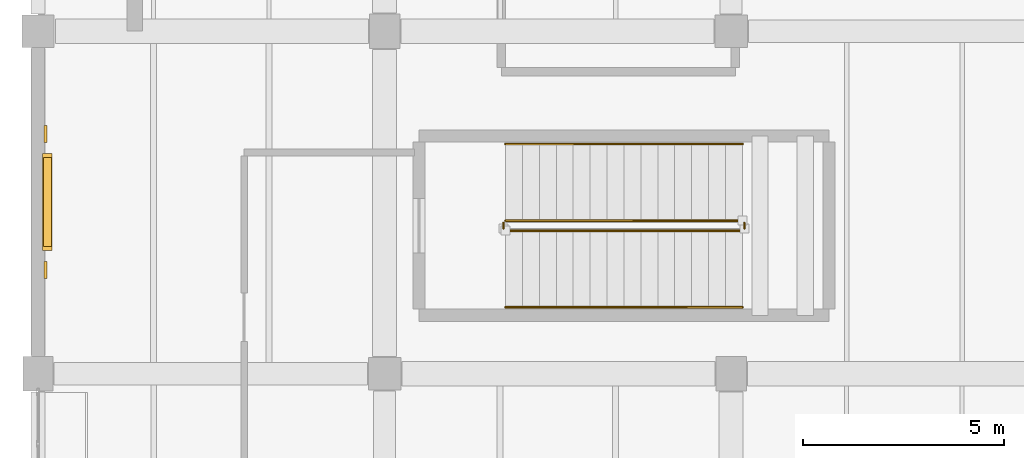
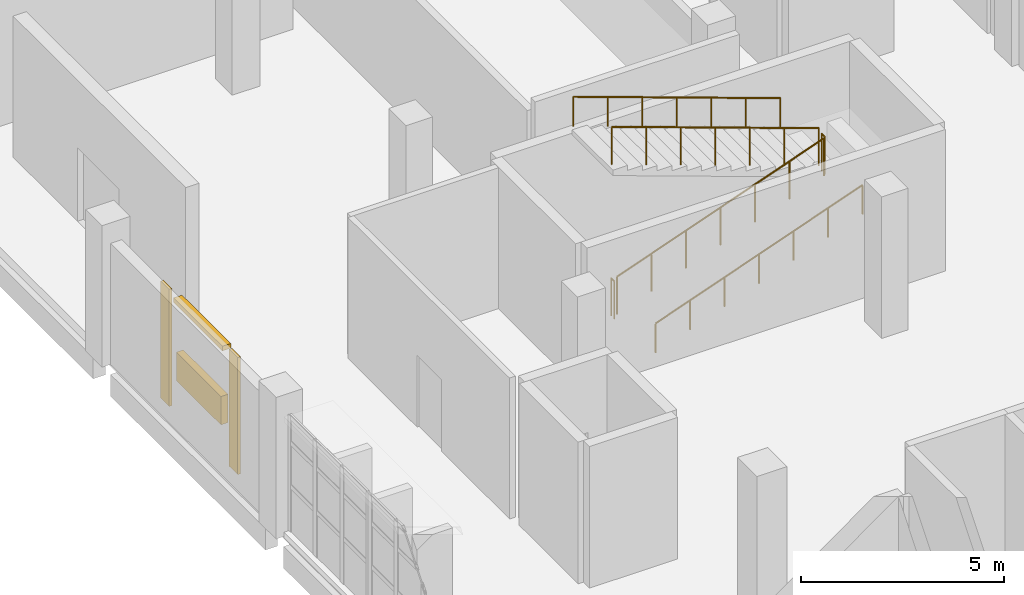
# One storey, part 68 of 76: 6 railings, 2 coverings, 2 shading devices.
"""IFC4 building model written with IfcOpenShell, lengths in metres."""

from ifc_helpers import new_model, si_unit, direction, frame, origin, origin_2d, place, context, subcontext, project, spatial, rectangle, circle, extrude, material, layer, layer_set, type_object, element, save


model = new_model("IFC4")

# Units and contexts
model_context = context("Model", 3, precision=1e-05, world=origin(), true_north=direction((0.0, 1.0)))
body_context = subcontext(model_context, "Body", "Model", "MODEL_VIEW")
ifc_project = project(units=[si_unit("LENGTHUNIT", "METRE"), si_unit("AREAUNIT", "SQUARE_METRE"), si_unit("VOLUMEUNIT", "CUBIC_METRE"), si_unit("PLANEANGLEUNIT", "RADIAN"), si_unit("MASSUNIT", "GRAM", prefix="KILO")], contexts=[model_context])

# Site, building, storey
site_placement = place(None, origin())
site = spatial("IfcSite", under=ifc_project, at=site_placement, CompositionType="ELEMENT")
building_placement = place(site_placement, origin())
building = spatial("IfcBuilding", under=site, at=building_placement, Name="Varnakota Cinema and Media Centre", CompositionType="ELEMENT")
storey_placement = place(building_placement, origin())
storey = spatial("IfcBuildingStorey", under=building, at=storey_placement, Name="L00", CompositionType="ELEMENT", Elevation=0.0)

# Coverings
ifc_material_1 = material(Name="Pale Tandur limestone cladding", Category="masonry")
ifc_layer_1 = layer(ifc_material_1, 0.06005859375)
ifc_layer_set_1 = layer_set([ifc_layer_1], Name="Pale Tandur limestone cladding")
covering_type = type_object("IfcCoveringType", Name="COV-TANDUR-ASHLAR-60", PredefinedType="CLADDING", material=ifc_layer_set_1)
for number, where, z_axis, x_axis, name in (
    (1, (0.18505859375, 49.950927734375, 0.06005859375), (0.0, 0.0, 1.0), (0.0, -1.0, 0.0), "L00 acoustic studio stone relief pilaster V5-W-S-1.1"),
    (2, (0.18505859375, 46.573974609375, 0.06005859375), (0.0, 0.0, 1.0), (0.0, -1.0, 0.0), "L00 acoustic studio stone relief pilaster V5-W-S-1.2"),
):
    element("IfcCovering", number, at=place(storey_placement, frame(where, z_axis=z_axis, x_axis=x_axis)), inside=storey, type_object=covering_type, Name=name, PredefinedType="CLADDING", context=body_context, shape_type="SweptSolid", body=[
        extrude(rectangle(XDim=0.419921875, YDim=0.080078125, at=origin_2d()), origin(), (0.0, 0.0, 1.0), 3.514892578125),
    ])

# Railings
ifc_material_2 = material(Name="Structural steel Grade 350 (E350)", Category="steel")
ifc_layer_2 = layer(ifc_material_2, 0.050048828125)
ifc_layer_set_2 = layer_set([ifc_layer_2], Name="Structural steel Grade 350 (E350)")
railing_type_1 = type_object("IfcRailingType", Name="RAIL-STAIR-GUARD-1150", PredefinedType="GUARDRAIL", material=ifc_layer_set_2)
railing_1_placement = place(storey_placement, frame((11.60009765625, 47.550048828125, 0.14990234375)))
element("IfcRailing", 3, at=railing_1_placement, inside=storey, type_object=railing_type_1, Name="L00 ST-03 stair guard 1", PredefinedType="GUARDRAIL", context=body_context, shape_type="SweptSolid", body=[
    extrude(circle(Radius=0.02392578125, at=origin_2d()), frame((0.0, 0.0, 1.1259765625), z_axis=(0.941734834084, 0.0, 0.33635621337), x_axis=(0.0, 1.0, 0.0)), (0.0, 0.0, 1.0), 6.24365234375),
    extrude(circle(Radius=0.02099609375, at=origin_2d()), origin(), (0.0, 0.0, 1.0), 1.101806640625),
    extrude(circle(Radius=0.02099609375, at=origin_2d()), frame((0.97998046875, 0.0, 0.35009765625)), (0.0, 0.0, 1.0), 1.101806640625),
    extrude(circle(Radius=0.02099609375, at=origin_2d()), frame((1.9599609375, 0.0, 0.699951171875)), (0.0, 0.0, 1.0), 1.101806640625),
    extrude(circle(Radius=0.02099609375, at=origin_2d()), frame((2.93994140625, 0.0, 1.050048828125)), (0.0, 0.0, 1.0), 1.101806640625),
    extrude(circle(Radius=0.02099609375, at=origin_2d()), frame((3.919921875, 0.0, 1.400146484375)), (0.0, 0.0, 1.0), 1.101806640625),
    extrude(circle(Radius=0.02099609375, at=origin_2d()), frame((4.89990234375, 0.0, 1.75)), (0.0, 0.0, 1.0), 1.101806640625),
    extrude(circle(Radius=0.02099609375, at=origin_2d()), frame((5.8798828125, 0.0, 2.10009765625)), (0.0, 0.0, 1.0), 1.101806640625),
])
railing_2_placement = place(storey_placement, frame((17.530029296875, 47.60009765625, 2.25)))
element("IfcRailing", 4, at=railing_2_placement, inside=storey, type_object=railing_type_1, Name="L00 ST-03 stair guard 2", PredefinedType="GUARDRAIL", context=body_context, shape_type="SweptSolid", body=[
    extrude(circle(Radius=0.02392578125, at=origin_2d()), frame((0.0, 0.0, 1.1259765625), z_axis=(0.0, 1.0, 0.0), x_axis=(-1.0, 0.0, 0.0)), (0.0, 0.0, 1.0), 0.14990234375),
    extrude(circle(Radius=0.02099609375, at=origin_2d()), origin(), (0.0, 0.0, 1.0), 1.101806640625),
    extrude(circle(Radius=0.02099609375, at=origin_2d()), frame((0.0, 0.14990234375, 0.0)), (0.0, 0.0, 1.0), 1.101806640625),
])
railing_3_placement = place(storey_placement, frame((17.47998046875, 47.800048828125, 2.39990234375)))
element("IfcRailing", 5, at=railing_3_placement, inside=storey, type_object=railing_type_1, Name="L00 ST-03 stair guard 3", PredefinedType="GUARDRAIL", context=body_context, shape_type="SweptSolid", body=[
    extrude(circle(Radius=0.02392578125, at=origin_2d()), frame((0.0, 0.0, 1.1259765625), z_axis=(-0.941734834084, 0.0, 0.33635621337), x_axis=(0.0, -1.0, 0.0)), (0.0, 0.0, 1.0), 6.24365234375),
    extrude(circle(Radius=0.02099609375, at=origin_2d()), origin(), (0.0, 0.0, 1.0), 1.101806640625),
    extrude(circle(Radius=0.02099609375, at=origin_2d()), frame((-0.97998046875, 0.0, 0.35009765625)), (0.0, 0.0, 1.0), 1.101806640625),
    extrude(circle(Radius=0.02099609375, at=origin_2d()), frame((-1.9599609375, 0.0, 0.699951171875)), (0.0, 0.0, 1.0), 1.101806640625),
    extrude(circle(Radius=0.02099609375, at=origin_2d()), frame((-2.93994140625, 0.0, 1.050048828125)), (0.0, 0.0, 1.0), 1.101806640625),
    extrude(circle(Radius=0.02099609375, at=origin_2d()), frame((-3.919921875, 0.0, 1.400146484375)), (0.0, 0.0, 1.0), 1.101806640625),
    extrude(circle(Radius=0.02099609375, at=origin_2d()), frame((-4.89990234375, 0.0, 1.75)), (0.0, 0.0, 1.0), 1.101806640625),
    extrude(circle(Radius=0.02099609375, at=origin_2d()), frame((-5.8798828125, 0.0, 2.10009765625)), (0.0, 0.0, 1.0), 1.101806640625),
])
railing_4_placement = place(storey_placement, frame((11.550048828125, 47.60009765625, 0.0)))
element("IfcRailing", 6, at=railing_4_placement, inside=storey, type_object=railing_type_1, Name="L00 ST-03 stair guard 4", PredefinedType="GUARDRAIL", context=body_context, shape_type="SweptSolid", body=[
    extrude(circle(Radius=0.02392578125, at=origin_2d()), frame((0.0, 0.0, 1.1259765625), z_axis=(0.0, 1.0, 0.0), x_axis=(-1.0, 0.0, 0.0)), (0.0, 0.0, 1.0), 0.14990234375),
    extrude(circle(Radius=0.02099609375, at=origin_2d()), origin(), (0.0, 0.0, 1.0), 1.101806640625),
    extrude(circle(Radius=0.02099609375, at=origin_2d()), frame((0.0, 0.14990234375, 0.0)), (0.0, 0.0, 1.0), 1.101806640625),
])
ifc_material_3 = material(Name="Structural steel Grade 350 (E350)", Category="steel")
ifc_layer_3 = layer(ifc_material_3, 0.048095703125)
ifc_layer_set_3 = layer_set([ifc_layer_3], Name="Structural steel Grade 350 (E350)")
railing_type_2 = type_object("IfcRailingType", Name="RAIL-STAIR-HAND-900", PredefinedType="HANDRAIL", material=ifc_layer_set_3)
railing_5_placement = place(storey_placement, frame((11.60009765625, 45.64990234375, 0.14990234375)))
element("IfcRailing", 7, at=railing_5_placement, inside=storey, type_object=railing_type_2, Name="L00 ST-03 stair handrail 1", PredefinedType="HANDRAIL", context=body_context, shape_type="SweptSolid", body=[
    extrude(circle(Radius=0.02392578125, at=origin_2d()), frame((0.0, 0.0, 0.8759765625), z_axis=(0.941734834084, 0.0, 0.33635621337), x_axis=(0.0, 1.0, 0.0)), (0.0, 0.0, 1.0), 6.24365234375),
    extrude(circle(Radius=0.02099609375, at=origin_2d()), origin(), (0.0, 0.0, 1.0), 0.851806640625),
    extrude(circle(Radius=0.02099609375, at=origin_2d()), frame((0.97998046875, 0.0, 0.35009765625)), (0.0, 0.0, 1.0), 0.851806640625),
    extrude(circle(Radius=0.02099609375, at=origin_2d()), frame((1.9599609375, 0.0, 0.699951171875)), (0.0, 0.0, 1.0), 0.851806640625),
    extrude(circle(Radius=0.02099609375, at=origin_2d()), frame((2.93994140625, 0.0, 1.050048828125)), (0.0, 0.0, 1.0), 0.851806640625),
    extrude(circle(Radius=0.02099609375, at=origin_2d()), frame((3.919921875, 0.0, 1.400146484375)), (0.0, 0.0, 1.0), 0.851806640625),
    extrude(circle(Radius=0.02099609375, at=origin_2d()), frame((4.89990234375, 0.0, 1.75)), (0.0, 0.0, 1.0), 0.851806640625),
    extrude(circle(Radius=0.02099609375, at=origin_2d()), frame((5.8798828125, 0.0, 2.10009765625)), (0.0, 0.0, 1.0), 0.851806640625),
])
railing_6_placement = place(storey_placement, frame((17.47998046875, 49.699951171875, 2.39990234375)))
element("IfcRailing", 8, at=railing_6_placement, inside=storey, type_object=railing_type_2, Name="L00 ST-03 stair handrail 2", PredefinedType="HANDRAIL", context=body_context, shape_type="SweptSolid", body=[
    extrude(circle(Radius=0.02392578125, at=origin_2d()), frame((0.0, 0.0, 0.8759765625), z_axis=(-0.941734834084, 0.0, 0.33635621337), x_axis=(0.0, -1.0, 0.0)), (0.0, 0.0, 1.0), 6.24365234375),
    extrude(circle(Radius=0.02099609375, at=origin_2d()), origin(), (0.0, 0.0, 1.0), 0.851806640625),
    extrude(circle(Radius=0.02099609375, at=origin_2d()), frame((-0.97998046875, 0.0, 0.35009765625)), (0.0, 0.0, 1.0), 0.851806640625),
    extrude(circle(Radius=0.02099609375, at=origin_2d()), frame((-1.9599609375, 0.0, 0.699951171875)), (0.0, 0.0, 1.0), 0.851806640625),
    extrude(circle(Radius=0.02099609375, at=origin_2d()), frame((-2.93994140625, 0.0, 1.050048828125)), (0.0, 0.0, 1.0), 0.851806640625),
    extrude(circle(Radius=0.02099609375, at=origin_2d()), frame((-3.919921875, 0.0, 1.400146484375)), (0.0, 0.0, 1.0), 0.851806640625),
    extrude(circle(Radius=0.02099609375, at=origin_2d()), frame((-4.89990234375, 0.0, 1.75)), (0.0, 0.0, 1.0), 0.851806640625),
    extrude(circle(Radius=0.02099609375, at=origin_2d()), frame((-5.8798828125, 0.0, 2.10009765625)), (0.0, 0.0, 1.0), 0.851806640625),
])

# Shading devices
ifc_material_4 = material(Name="Precast concrete M40", Category="concrete")
shading_device_type_1 = type_object("IfcShadingDeviceType", Name="SHD-CHAJJA-1050", PredefinedType="AWNING", material=ifc_material_4)
shading_device_1_placement = place(storey_placement, frame((0.22998046875, 48.262451171875, 3.365234375), z_axis=(0.0, 0.0, 1.0), x_axis=(0.0, -1.0, 0.0)))
element("IfcShadingDevice", 9, at=shading_device_1_placement, inside=storey, type_object=shading_device_type_1, Name="L00 acoustic intake weather hood V5-W-S-1", PredefinedType="AWNING", context=body_context, shape_type="SweptSolid", body=[
    extrude(rectangle(XDim=2.39990234375, YDim=0.239990234375, at=origin_2d()), origin(), (0.0, 0.0, 1.0), 0.139892578125),
])
ifc_material_5 = material(Name="Precast concrete M40", Category="concrete")
shading_device_type_2 = type_object("IfcShadingDeviceType", Name="SHD-FIN-1050", PredefinedType="JALOUSIE", material=ifc_material_5)
shading_device_2_placement = place(storey_placement, frame((0.22998046875, 48.262451171875, 1.074951171875), z_axis=(0.0, 0.0, 1.0), x_axis=(0.0, -1.0, 0.0)))
element("IfcShadingDevice", 10, at=shading_device_2_placement, inside=storey, type_object=shading_device_type_2, Name="L00 studio acoustic louvre screen V5-W-S-1", PredefinedType="JALOUSIE", context=body_context, shape_type="SweptSolid", body=[
    extrude(rectangle(XDim=2.199951171875, YDim=0.199951171875, at=origin_2d()), origin(), (0.0, 0.0, 1.0), 0.85009765625),
])

save(model, "model.ifc")
